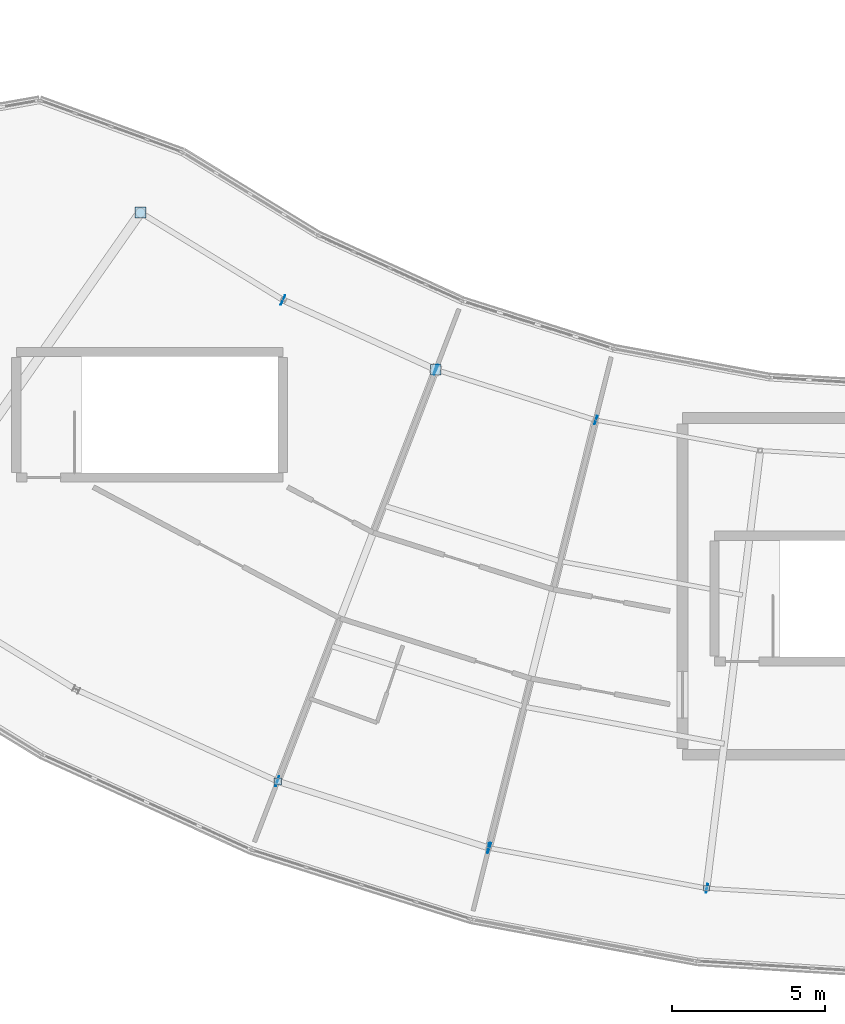
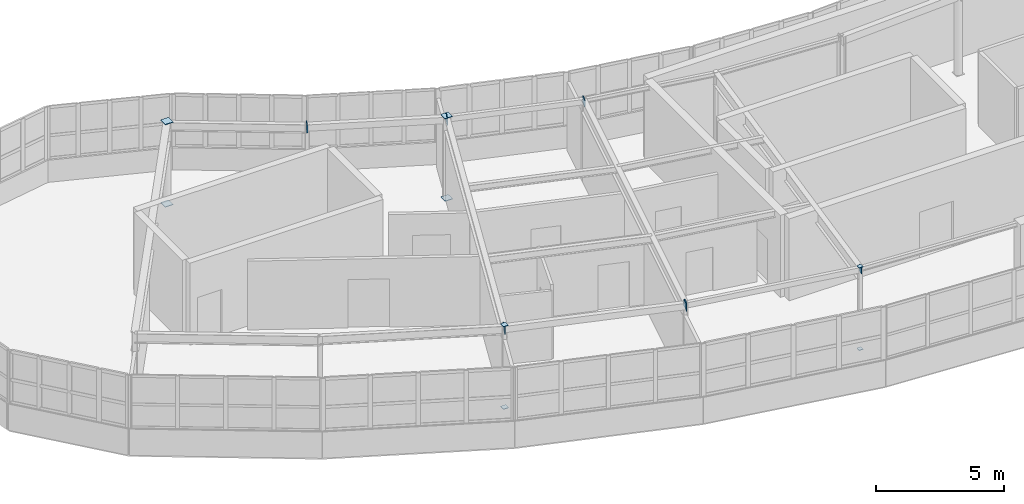
# One storey, part 46 of 60: 16 plates.
"""IFC4 building model written with IfcOpenShell, lengths in metres."""

from ifc_helpers import new_model, si_unit, direction, frame, origin, origin_2d, place, context, subcontext, project, spatial, rectangle, extrude, material, layer, layer_set, type_object, element, save


model = new_model("IFC4")

# Units and contexts
model_context = context("Model", 3, precision=1e-05, world=origin(), true_north=direction((0.0, 1.0)))
body_context = subcontext(model_context, "Body", "Model", "MODEL_VIEW")
ifc_project = project(units=[si_unit("LENGTHUNIT", "METRE"), si_unit("AREAUNIT", "SQUARE_METRE"), si_unit("VOLUMEUNIT", "CUBIC_METRE"), si_unit("PLANEANGLEUNIT", "RADIAN"), si_unit("MASSUNIT", "GRAM", prefix="KILO")], contexts=[model_context])

# Site, building, storey
site_placement = place(None, origin())
site = spatial("IfcSite", under=ifc_project, at=site_placement, CompositionType="ELEMENT")
building_placement = place(site_placement, origin())
building = spatial("IfcBuilding", under=site, at=building_placement, Name="Tarnwether General Hospital", CompositionType="ELEMENT")
storey_placement = place(building_placement, frame((0.0, 0.0, 26.10009765625)))
storey = spatial("IfcBuildingStorey", under=building, at=storey_placement, Name="L06", CompositionType="ELEMENT", Elevation=26.10009765625)

# Plates
ifc_material = material(Name="Steel Grade 350 (350 MPa)", Category="steel")
ifc_layer = layer(ifc_material, 0.02490234375)
ifc_layer_set = layer_set([ifc_layer], Name="Steel Grade 350 (350 MPa)")
plate_type = type_object("IfcPlateType", Name="PT-GUS2", PredefinedType="USERDEFINED", material=ifc_layer_set)
for number, where, z_axis, x_axis, name in (
    (1, (66.303955078125, 26.302001953125, -0.025146484375), (0.0, 0.0, 1.0), (1.0, 0.0, 0.0), "Hollow Section Welded End Cap Plate 0623"),
    (2, (66.303955078125, 26.302001953125, 3.89990234375), (0.0, 0.0, 1.0), (1.0, 0.0, 0.0), "Hollow Section Welded End Cap Plate 0624"),
):
    element("IfcPlate", number, at=place(storey_placement, frame(where, z_axis=z_axis, x_axis=x_axis)), inside=storey, type_object=plate_type, Name=name, ObjectType="GUSSET", PredefinedType="USERDEFINED", context=body_context, shape_type="SweptSolid", body=[
        extrude(rectangle(XDim=0.364013671875, YDim=0.364013671875, at=origin_2d()), origin(), (0.0, 0.0, 1.0), 0.02490234375),
    ])
for number, where, z_axis, x_axis, name in (
    (3, (70.784912109375, 7.73193359375, -0.025146484375), (0.0, 0.0, 1.0), (1.0, 0.0, 0.0), "Hollow Section Welded End Cap Plate 0641"),
    (4, (70.784912109375, 7.73193359375, 3.89990234375), (0.0, 0.0, 1.0), (1.0, 0.0, 0.0), "Hollow Section Welded End Cap Plate 0642"),
):
    element("IfcPlate", number, at=place(storey_placement, frame(where, z_axis=z_axis, x_axis=x_axis)), inside=storey, type_object=plate_type, Name=name, ObjectType="GUSSET", PredefinedType="USERDEFINED", context=body_context, shape_type="SweptSolid", body=[
        extrude(rectangle(XDim=0.23388671875, YDim=0.23388671875, at=origin_2d()), origin(), (0.0, 0.0, 1.0), 0.02490234375),
    ])
for number, where, z_axis, x_axis, name in (
    (5, (75.945068359375, 21.176025390625, -0.025146484375), (0.0, 0.0, 1.0), (1.0, 0.0, 0.0), "Hollow Section Welded End Cap Plate 0647"),
    (6, (75.945068359375, 21.176025390625, 3.89990234375), (0.0, 0.0, 1.0), (1.0, 0.0, 0.0), "Hollow Section Welded End Cap Plate 0648"),
):
    element("IfcPlate", number, at=place(storey_placement, frame(where, z_axis=z_axis, x_axis=x_axis)), inside=storey, type_object=plate_type, Name=name, ObjectType="GUSSET", PredefinedType="USERDEFINED", context=body_context, shape_type="SweptSolid", body=[
        extrude(rectangle(XDim=0.340087890625, YDim=0.340087890625, at=origin_2d()), origin(), (0.0, 0.0, 1.0), 0.02490234375),
    ])
for number, where, z_axis, x_axis, name in (
    (7, (84.784912109375, 4.240966796875, -0.025146484375), (0.0, 0.0, 1.0), (1.0, 0.0, 0.0), "Hollow Section Welded End Cap Plate 0667"),
    (8, (84.784912109375, 4.240966796875, 3.89990234375), (0.0, 0.0, 1.0), (1.0, 0.0, 0.0), "Hollow Section Welded End Cap Plate 0668"),
):
    element("IfcPlate", number, at=place(storey_placement, frame(where, z_axis=z_axis, x_axis=x_axis)), inside=storey, type_object=plate_type, Name=name, ObjectType="GUSSET", PredefinedType="USERDEFINED", context=body_context, shape_type="SweptSolid", body=[
        extrude(rectangle(XDim=0.18994140625, YDim=0.18994140625, at=origin_2d()), origin(), (0.0, 0.0, 1.0), 0.02490234375),
    ])
for number, where, z_axis, x_axis, name in (
    (9, (70.95654296875, 23.44921875, 3.580078125), (0.0, 0.0, 1.0), (0.9099685085, -0.414677360773, 0.0), "Hollow Section Welded End Cap Plate 1159"),
    (10, (75.956298828125, 21.1708984375, 3.580078125), (0.0, 0.0, 1.0), (0.9099685085, -0.414677360773, 0.0), "Hollow Section Welded End Cap Plate 1160"),
    (11, (70.773193359375, 7.73583984375, 3.580078125), (0.0, 0.0, 1.0), (0.953690705585, -0.300789025864, 0.0), "Hollow Section Welded End Cap Plate 1161"),
    (12, (77.68994140625, 5.55419921875, 3.580078125), (0.0, 0.0, 1.0), (0.953690705585, -0.300789025864, 0.0), "Hollow Section Welded End Cap Plate 1162"),
):
    element("IfcPlate", number, at=place(storey_placement, frame(where, z_axis=z_axis, x_axis=x_axis)), inside=storey, type_object=plate_type, Name=name, ObjectType="GUSSET", PredefinedType="USERDEFINED", context=body_context, shape_type="SweptSolid", body=[
        extrude(rectangle(XDim=0.02490234375, YDim=0.340087890625, at=origin_2d()), origin(), (0.0, 0.0, 1.0), 0.340087890625),
    ])
for number, where, z_axis, x_axis, name in (
    (13, (75.93310546875, 21.1796875, 3.6298828125), (0.0, 0.0, 1.0), (0.953711702297, -0.300722444959, 0.0), "Hollow Section Welded End Cap Plate 1163"),
    (14, (81.173828125, 19.527099609375, 3.6298828125), (0.0, 0.0, 1.0), (0.953711702297, -0.300722444959, 0.0), "Hollow Section Welded End Cap Plate 1164"),
    (15, (77.665771484375, 5.560302734375, 3.6298828125), (0.0, 0.0, 1.0), (0.983261268185, -0.18220120331, 0.0), "Hollow Section Welded End Cap Plate 1165"),
    (16, (84.79736328125, 4.23876953125, 3.6298828125), (0.0, 0.0, 1.0), (0.983261268185, -0.18220120331, 0.0), "Hollow Section Welded End Cap Plate 1166"),
):
    element("IfcPlate", number, at=place(storey_placement, frame(where, z_axis=z_axis, x_axis=x_axis)), inside=storey, type_object=plate_type, Name=name, ObjectType="GUSSET", PredefinedType="USERDEFINED", context=body_context, shape_type="SweptSolid", body=[
        extrude(rectangle(XDim=0.02490234375, YDim=0.2900390625, at=origin_2d()), origin(), (0.0, 0.0, 1.0), 0.2900390625),
    ])

save(model, "model.ifc")
